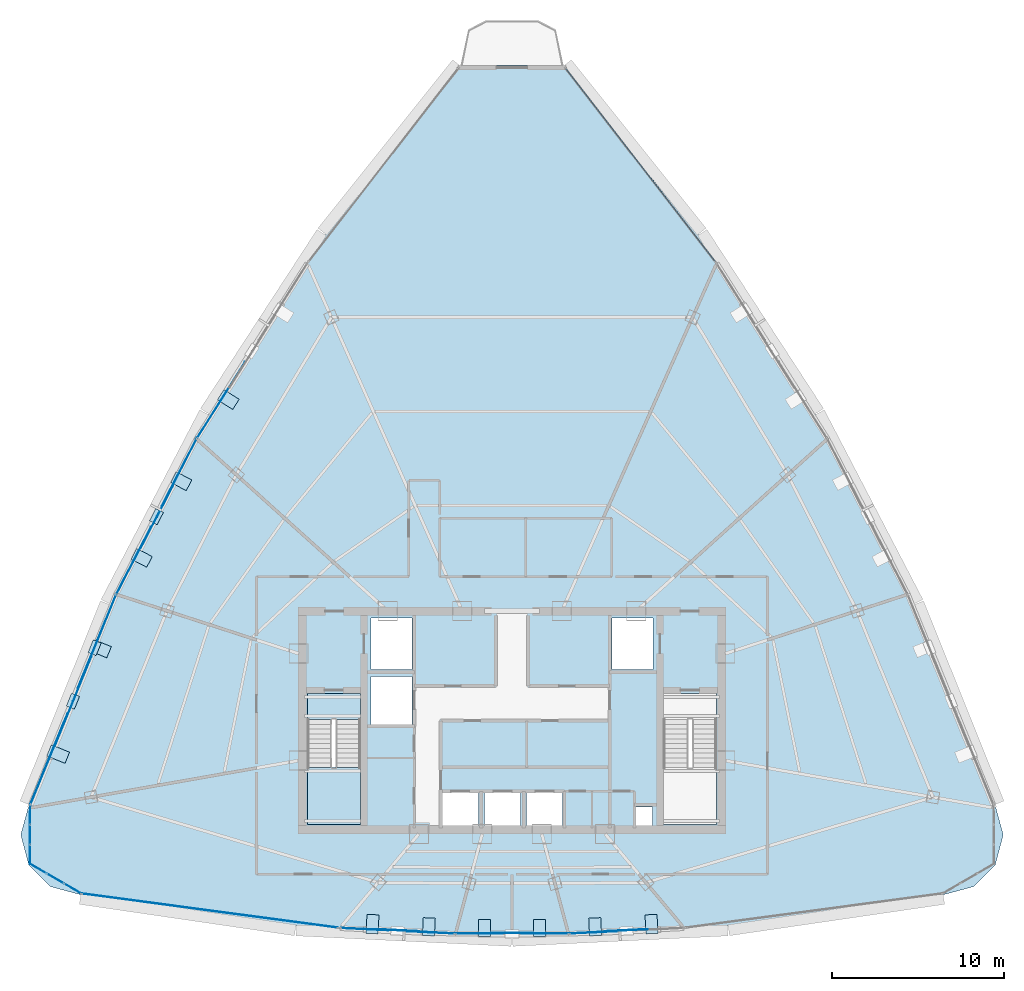
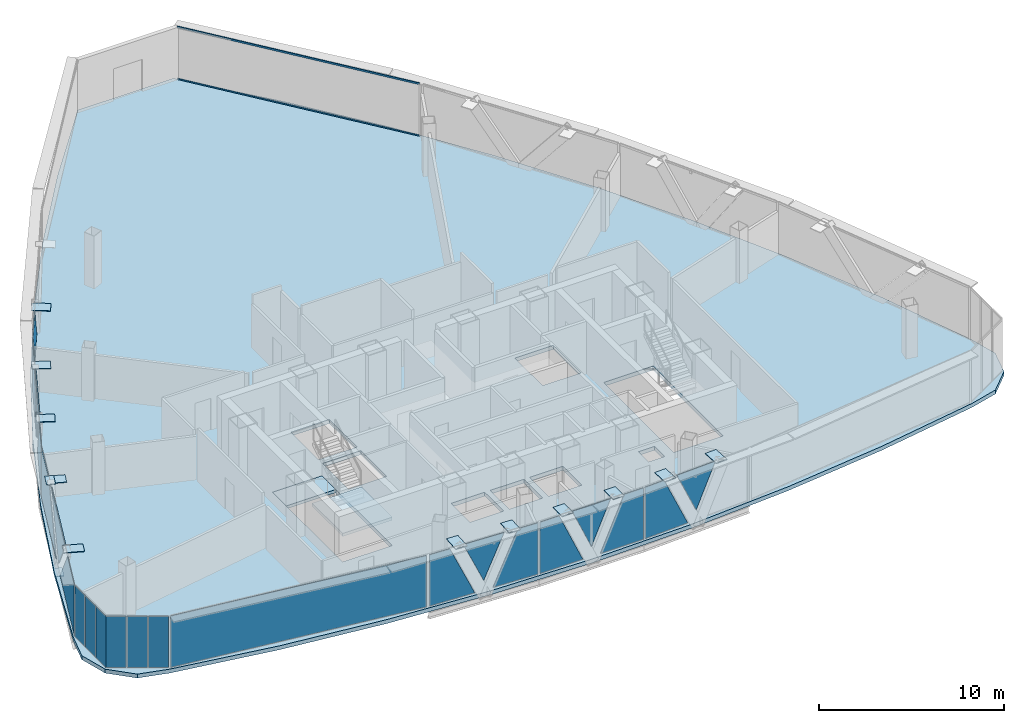
# One storey, part 20 of 27: 36 plates, 3 slabs, 2 members, 11 elements without a shape of their own.
"""IFC4 building model written with IfcOpenShell, lengths in metres."""

from ifc_helpers import new_model, si_unit, direction, frame, origin, origin_2d, place, context, subcontext, project, spatial, polyline, rectangle, hollow_rectangle, outline, extrude, source, transform, mapped, material, layer, layer_set, material_profile, profile_set, type_object, element, aggregate, save


model = new_model("IFC4")

# Units and contexts
model_context = context("Model", 3, precision=1e-05, world=origin(), true_north=direction((0.0, 1.0)))
body_context = subcontext(model_context, "Body", "Model", "MODEL_VIEW")
ifc_project = project(units=[si_unit("LENGTHUNIT", "METRE"), si_unit("AREAUNIT", "SQUARE_METRE"), si_unit("VOLUMEUNIT", "CUBIC_METRE"), si_unit("PLANEANGLEUNIT", "RADIAN"), si_unit("MASSUNIT", "GRAM", prefix="KILO"), si_unit("THERMODYNAMICTEMPERATUREUNIT", "KELVIN"), si_unit("POWERUNIT", "WATT")], contexts=[model_context])

# Site, building, storey
site_placement = place(None, origin())
site = spatial("IfcSite", under=ifc_project, at=site_placement, CompositionType="ELEMENT")
building_placement = place(site_placement, origin())
building = spatial("IfcBuilding", under=site, at=building_placement, Name="Yunzhuo Pagoda Commons", CompositionType="ELEMENT")
storey_placement = place(building_placement, frame((0.0, 0.0, 344.260009765625)))
storey = spatial("IfcBuildingStorey", under=building, at=storey_placement, Name="L86", CompositionType="ELEMENT", Elevation=344.260009765625)

# Curtain wall, members
ifc_material_1 = material(Name="Anodized aluminium 6063-T6", Category="aluminium")
ifc_layer_1 = layer(ifc_material_1, 0.139892578125)
ifc_layer_set_1 = layer_set([ifc_layer_1], Name="Anodized aluminium 6063-T6")
curtain_wall_type_1 = type_object("IfcCurtainWallType", Name="CW-HI High-Zone Ribbon Curtain Wall", PredefinedType="NOTDEFINED", material=ifc_layer_set_1)
curtain_wall_1_placement = place(storey_placement, origin())
curtain_wall_1 = element("IfcCurtainWall", 1, at=curtain_wall_1_placement, inside=storey, type_object=curtain_wall_type_1, Name="L86 curtain wall CW-L86-F2B5", PredefinedType="NOTDEFINED")
ifc_material_profile = material_profile(ifc_material_1, hollow_rectangle(XDim=0.054931640625, YDim=0.1201171875, WallThickness=0.00341796875, at=origin_2d()), Name="Anodized aluminium 6063-T6")
ifc_profile_set = profile_set([ifc_material_profile], Name="Anodized aluminium 6063-T6")
member_type = type_object("IfcMemberType", Name="CW-HI-T Transom RHS 120x55x3.5", PredefinedType="USERDEFINED", material=ifc_profile_set)
shared_shape_1 = source(origin(), body_context, "Body", "SweptSolid", [
    extrude(hollow_rectangle(XDim=0.054931640625, YDim=0.1201171875, WallThickness=0.00341796875, at=origin_2d()), origin(), (0.0, 0.0, 1.0), 14.18017578125),
])
member_1_placement = place(storey_placement, frame((59.8125, 60.52392578125, 0.027587890625), z_axis=(-0.612422141113, 0.790530910892, 0.0), x_axis=(-0.790530910892, -0.612422141113, 0.0)))
member_1 = element("IfcMember", 2, at=member_1_placement, type_object=member_type, Name="CW transom 1.1", ObjectType="TRANSOM", PredefinedType="USERDEFINED", context=body_context, shape_type="MappedRepresentation", body=[
    mapped(shared_shape_1, transform((0.0, 0.0, 0.0), scale=1.0)),
])
member_2_placement = place(storey_placement, frame((59.8125, 60.52392578125, 3.46240234375), z_axis=(-0.612422141113, 0.790530910892, 0.0), x_axis=(-0.790530910892, -0.612422141113, 0.0)))
member_2 = element("IfcMember", 3, at=member_2_placement, type_object=member_type, Name="CW transom 1.2", ObjectType="TRANSOM", PredefinedType="USERDEFINED", context=body_context, shape_type="MappedRepresentation", body=[
    mapped(shared_shape_1, transform((0.0, 0.0, 0.0), scale=1.0)),
])
aggregate(curtain_wall_1, [member_1, member_2])

# Curtain wall, plates
curtain_wall_2_placement = place(storey_placement, origin())
curtain_wall_2 = element("IfcCurtainWall", 4, at=curtain_wall_2_placement, inside=storey, type_object=curtain_wall_type_1, Name="L86 curtain wall CW-L86-F1B2", PredefinedType="NOTDEFINED")
ifc_material_2 = material(Name="Tempered low-e double glazing", Category="glass")
ifc_layer_2 = layer(ifc_material_2, 0.02587890625)
ifc_layer_set_2 = layer_set([ifc_layer_2], Name="Tempered low-e double glazing")
plate_type_1 = type_object("IfcPlateType", Name="CW-HI-P Low-E Double Glazing 26", PredefinedType="CURTAIN_PANEL", material=ifc_layer_set_2)
plate_1_placement = place(storey_placement, frame((39.43115234375, 21.72509765625, 1.744873046875), z_axis=(-0.048905572213, -0.998803406585, 0.0), x_axis=(0.998803406585, -0.048905572213, 0.0)))
plate_1 = element("IfcPlate", 5, at=plate_1_placement, type_object=plate_type_1, Name="CW panel 1.1 lite 1", PredefinedType="CURTAIN_PANEL", context=body_context, shape_type="SweptSolid", body=[
    extrude(outline(polyline([(-1.372802734375, -1.68994140625), (1.372802734375, -1.68994140625), (-0.142822265625, 1.68994140625), (-1.372802734375, 1.68994140625), (-1.372802734375, -1.68994140625)])), origin(), (0.0, 0.0, 1.0), 0.028076171875),
])
plate_2_placement = place(storey_placement, frame((41.36083984375, 21.660888671875, 2.0517578125), z_axis=(-0.048905572213, -0.998803406585, 0.0), x_axis=(0.998803406585, -0.048905572213, 0.0)))
plate_2 = element("IfcPlate", 6, at=plate_2_placement, type_object=plate_type_1, Name="CW panel 1.1 lite 2", PredefinedType="CURTAIN_PANEL", context=body_context, shape_type="SweptSolid", body=[
    extrude(outline(polyline([(-1.24072265625, 1.38330078125), (0.0, -1.38330078125), (1.24072265625, 1.38330078125), (-1.24072265625, 1.38330078125)])), origin(), (0.0, 0.0, 1.0), 0.028076171875),
])
plate_3_placement = place(storey_placement, frame((43.287841796875, 21.536376953125, 1.744873046875), z_axis=(-0.048905572213, -0.998803406585, 0.0), x_axis=(0.998803406585, -0.048905572213, 0.0)))
plate_3 = element("IfcPlate", 7, at=plate_3_placement, type_object=plate_type_1, Name="CW panel 1.1 lite 3", PredefinedType="CURTAIN_PANEL", context=body_context, shape_type="SweptSolid", body=[
    extrude(outline(polyline([(-1.372802734375, -1.68994140625), (1.372802734375, -1.68994140625), (1.372802734375, 1.68994140625), (0.142822265625, 1.68994140625), (-1.372802734375, -1.68994140625)])), origin(), (0.0, 0.0, 1.0), 0.028076171875),
])
aggregate(curtain_wall_2, [plate_1, plate_2, plate_3])

curtain_wall_3_placement = place(storey_placement, origin())
curtain_wall_3 = element("IfcCurtainWall", 8, at=curtain_wall_3_placement, inside=storey, type_object=curtain_wall_type_1, Name="L86 curtain wall CW-L86-F1B3", PredefinedType="NOTDEFINED")
plate_4_placement = place(storey_placement, frame((46.11279296875, 21.46630859375, 1.744873046875), z_axis=(0.0, -1.0, 0.0), x_axis=(1.0, 0.0, 0.0)))
plate_4 = element("IfcPlate", 9, at=plate_4_placement, type_object=plate_type_1, Name="CW panel 1.1 lite 1", PredefinedType="CURTAIN_PANEL", context=body_context, shape_type="SweptSolid", body=[
    extrude(outline(polyline([(-1.33447265625, -1.68994140625), (1.33447265625, -1.68994140625), (-0.14453125, 1.68994140625), (-1.33447265625, 1.68994140625), (-1.33447265625, -1.68994140625)])), origin(), (0.0, 0.0, 1.0), 0.028076171875),
])
plate_5_placement = place(storey_placement, frame((48.0, 21.49658203125, 2.0615234375), z_axis=(0.0, -1.0, 0.0), x_axis=(1.0, 0.0, 0.0)))
plate_5 = element("IfcPlate", 10, at=plate_5_placement, type_object=plate_type_1, Name="CW panel 1.1 lite 2", PredefinedType="CURTAIN_PANEL", context=body_context, shape_type="SweptSolid", body=[
    extrude(outline(polyline([(-1.201904296875, 1.37353515625), (0.0, -1.37353515625), (1.201904296875, 1.37353515625), (-1.201904296875, 1.37353515625)])), origin(), (0.0, 0.0, 1.0), 0.028076171875),
])
plate_6_placement = place(storey_placement, frame((49.88720703125, 21.46630859375, 1.744873046875), z_axis=(0.0, -1.0, 0.0), x_axis=(1.0, 0.0, 0.0)))
plate_6 = element("IfcPlate", 11, at=plate_6_placement, type_object=plate_type_1, Name="CW panel 1.1 lite 3", PredefinedType="CURTAIN_PANEL", context=body_context, shape_type="SweptSolid", body=[
    extrude(outline(polyline([(-1.33447265625, -1.68994140625), (1.33447265625, -1.68994140625), (1.33447265625, 1.68994140625), (0.14453125, 1.68994140625), (-1.33447265625, -1.68994140625)])), origin(), (0.0, 0.0, 1.0), 0.028076171875),
])
aggregate(curtain_wall_3, [plate_4, plate_5, plate_6])

curtain_wall_4_placement = place(storey_placement, origin())
curtain_wall_4 = element("IfcCurtainWall", 12, at=curtain_wall_4_placement, inside=storey, type_object=curtain_wall_type_1, Name="L86 curtain wall CW-L86-F1B4", PredefinedType="NOTDEFINED")
plate_7_placement = place(storey_placement, frame((52.712158203125, 21.536376953125, 1.744873046875), z_axis=(0.048905572213, -0.998803406585, 0.0), x_axis=(0.998803406585, 0.048905572213, 0.0)))
plate_7 = element("IfcPlate", 13, at=plate_7_placement, type_object=plate_type_1, Name="CW panel 1.1 lite 1", PredefinedType="CURTAIN_PANEL", context=body_context, shape_type="SweptSolid", body=[
    extrude(outline(polyline([(-1.372802734375, -1.68994140625), (1.372802734375, -1.68994140625), (-0.142822265625, 1.68994140625), (-1.372802734375, 1.68994140625), (-1.372802734375, -1.68994140625)])), origin(), (0.0, 0.0, 1.0), 0.028076171875),
])
plate_8_placement = place(storey_placement, frame((54.63916015625, 21.660888671875, 2.0517578125), z_axis=(0.048905572213, -0.998803406585, 0.0), x_axis=(0.998803406585, 0.048905572213, 0.0)))
plate_8 = element("IfcPlate", 14, at=plate_8_placement, type_object=plate_type_1, Name="CW panel 1.1 lite 2", PredefinedType="CURTAIN_PANEL", context=body_context, shape_type="SweptSolid", body=[
    extrude(outline(polyline([(-1.24072265625, 1.38330078125), (0.0, -1.38330078125), (1.24072265625, 1.38330078125), (-1.24072265625, 1.38330078125)])), origin(), (0.0, 0.0, 1.0), 0.028076171875),
])
aggregate(curtain_wall_4, [plate_7, plate_8])

# Curtain wall, plate
curtain_wall_5_placement = place(storey_placement, origin())
curtain_wall_5 = element("IfcCurtainWall", 15, at=curtain_wall_5_placement, inside=storey, type_object=curtain_wall_type_1, Name="L86 curtain wall CW-L86-F3B2", PredefinedType="NOTDEFINED")
plate_9_placement = place(storey_placement, frame((31.105712890625, 52.46484375, 1.744873046875), z_axis=(-0.845817518552, 0.533472328532, 0.0), x_axis=(-0.533472328532, -0.845817518552, 0.0)))
plate_9 = element("IfcPlate", 16, at=plate_9_placement, type_object=plate_type_1, Name="CW panel 1.1 lite 3", PredefinedType="CURTAIN_PANEL", context=body_context, shape_type="SweptSolid", body=[
    extrude(outline(polyline([(-2.616943359375, -1.68994140625), (2.616943359375, -1.68994140625), (2.616943359375, 1.68994140625), (0.102783203125, 1.68994140625), (-2.616943359375, -1.68994140625)])), origin(), (0.0, 0.0, 1.0), 0.028076171875),
])
aggregate(curtain_wall_5, [plate_9])

# Curtain wall, plates
curtain_wall_6_placement = place(storey_placement, origin())
curtain_wall_6 = element("IfcCurtainWall", 17, at=curtain_wall_6_placement, inside=storey, type_object=curtain_wall_type_1, Name="L86 curtain wall CW-L86-F3B3", PredefinedType="NOTDEFINED")
plate_10_placement = place(storey_placement, frame((28.65185546875, 48.21533203125, 1.744873046875), z_axis=(-0.888380452968, 0.459108016467, 0.0), x_axis=(-0.459108016467, -0.888380452968, 0.0)))
plate_10 = element("IfcPlate", 18, at=plate_10_placement, type_object=plate_type_1, Name="CW panel 1.1 lite 1", PredefinedType="CURTAIN_PANEL", context=body_context, shape_type="SweptSolid", body=[
    extrude(outline(polyline([(-2.17578125, -1.68994140625), (2.17578125, -1.68994140625), (-0.115478515625, 1.68994140625), (-2.17578125, 1.68994140625), (-2.17578125, -1.68994140625)])), origin(), (0.0, 0.0, 1.0), 0.028076171875),
])
plate_11_placement = place(storey_placement, frame((27.37060546875, 45.6708984375, 1.926025390625), z_axis=(-0.888380452968, 0.459108016467, 0.0), x_axis=(-0.459108016467, -0.888380452968, 0.0)))
plate_11 = element("IfcPlate", 19, at=plate_11_placement, type_object=plate_type_1, Name="CW panel 1.1 lite 2", PredefinedType="CURTAIN_PANEL", context=body_context, shape_type="SweptSolid", body=[
    extrude(outline(polyline([(-2.0458984375, 1.5087890625), (0.0, -1.5087890625), (2.0458984375, 1.5087890625), (-2.0458984375, 1.5087890625)])), origin(), (0.0, 0.0, 1.0), 0.028076171875),
])
plate_12_placement = place(storey_placement, frame((26.0361328125, 43.154052734375, 1.744873046875), z_axis=(-0.888380452968, 0.459108016467, 0.0), x_axis=(-0.459108016467, -0.888380452968, 0.0)))
plate_12 = element("IfcPlate", 20, at=plate_12_placement, type_object=plate_type_1, Name="CW panel 1.1 lite 3", PredefinedType="CURTAIN_PANEL", context=body_context, shape_type="SweptSolid", body=[
    extrude(outline(polyline([(-2.17578125, -1.68994140625), (2.17578125, -1.68994140625), (2.17578125, 1.68994140625), (0.115478515625, 1.68994140625), (-2.17578125, -1.68994140625)])), origin(), (0.0, 0.0, 1.0), 0.028076171875),
])
aggregate(curtain_wall_6, [plate_10, plate_11, plate_12])

curtain_wall_7_placement = place(storey_placement, origin())
curtain_wall_7 = element("IfcCurtainWall", 21, at=curtain_wall_7_placement, inside=storey, type_object=curtain_wall_type_1, Name="L86 curtain wall CW-L86-F3B4", PredefinedType="NOTDEFINED")
plate_13_placement = place(storey_placement, frame((23.88134765625, 38.406005859375, 1.744873046875), z_axis=(-0.925729863061, 0.37818543155, 0.0), x_axis=(-0.37818543155, -0.925729863061, 0.0)))
plate_13 = element("IfcPlate", 22, at=plate_13_placement, type_object=plate_type_1, Name="CW panel 1.1 lite 1", PredefinedType="CURTAIN_PANEL", context=body_context, shape_type="SweptSolid", body=[
    extrude(outline(polyline([(-2.924560546875, -1.68994140625), (2.924560546875, -1.68994140625), (-0.0947265625, 1.68994140625), (-2.924560546875, 1.68994140625), (-2.924560546875, -1.68994140625)])), origin(), (0.0, 0.0, 1.0), 0.028076171875),
])
plate_14_placement = place(storey_placement, frame((22.504150390625, 34.955078125, 1.872802734375), z_axis=(-0.925729863061, 0.37818543155, 0.0), x_axis=(-0.37818543155, -0.925729863061, 0.0)))
plate_14 = element("IfcPlate", 23, at=plate_14_placement, type_object=plate_type_1, Name="CW panel 1.1 lite 2", PredefinedType="CURTAIN_PANEL", context=body_context, shape_type="SweptSolid", body=[
    extrude(outline(polyline([(-2.791259765625, 1.562255859375), (0.0, -1.562255859375), (2.791259765625, 1.562255859375), (-2.791259765625, 1.562255859375)])), origin(), (0.0, 0.0, 1.0), 0.028076171875),
])
plate_15_placement = place(storey_placement, frame((21.10498046875, 31.609619140625, 1.744873046875), z_axis=(-0.925729863061, 0.37818543155, 0.0), x_axis=(-0.37818543155, -0.925729863061, 0.0)))
plate_15 = element("IfcPlate", 24, at=plate_15_placement, type_object=plate_type_1, Name="CW panel 1.1 lite 3", PredefinedType="CURTAIN_PANEL", context=body_context, shape_type="SweptSolid", body=[
    extrude(outline(polyline([(-2.835205078125, -1.68994140625), (2.835205078125, -1.68994140625), (2.835205078125, 1.68994140625), (0.184326171875, 1.68994140625), (-2.835205078125, -1.68994140625)])), origin(), (0.0, 0.0, 1.0), 0.028076171875),
])
aggregate(curtain_wall_7, [plate_13, plate_14, plate_15])

# Stair, slabs
ifc_material_3 = material(Name="Concrete C40", Category="concrete")
stair_type = type_object("IfcStairType", Name="ST-C1 Core Smokeproof Stair ST1", PredefinedType="HALF_TURN_STAIR", material=ifc_material_3)
stair_placement = place(storey_placement, origin())
stair = element("IfcStair", 25, at=stair_placement, inside=storey, type_object=stair_type, Name="L86 Core smokeproof stair ST1", PredefinedType="HALF_TURN_STAIR")
ifc_layer_3 = layer(ifc_material_3, 0.199951171875)
ifc_layer_set_3 = layer_set([ifc_layer_3], Name="Concrete C40")
slab_type_1 = type_object("IfcSlabType", Name="SL-LND1 Stair Landing Slab 200", PredefinedType="LANDING", material=ifc_layer_set_3)
slab_1_placement = place(storey_placement, frame((0.0, 0.0, 1.675048828125)))
slab_1 = element("IfcSlab", 26, at=slab_1_placement, type_object=slab_type_1, Name="ST1 landing 1", PredefinedType="LANDING", context=body_context, shape_type="SweptSolid", body=[
    extrude(outline(polyline([(36.10009765625, 31.10009765625), (36.10009765625, 27.800048828125), (39.199951171875, 27.800048828125), (39.199951171875, 31.10009765625), (36.10009765625, 31.10009765625)])), origin(), (0.0, 0.0, 1.0), 0.199951171875),
])
slab_2_placement = place(storey_placement, frame((0.0, 0.0, -0.199951171875)))
slab_2 = element("IfcSlab", 27, at=slab_2_placement, type_object=slab_type_1, Name="ST1 floor landing L86", PredefinedType="LANDING", context=body_context, shape_type="SweptSolid", body=[
    extrude(outline(polyline([(36.10009765625, 35.39990234375), (36.10009765625, 33.89990234375), (39.199951171875, 33.89990234375), (39.199951171875, 35.39990234375), (36.10009765625, 35.39990234375)])), origin(), (0.0, 0.0, 1.0), 0.199951171875),
])
aggregate(stair, [slab_1, slab_2])

# Slab
ifc_layer_4 = layer(ifc_material_3, 0.260009765625)
ifc_layer_set_4 = layer_set([ifc_layer_4], Name="Concrete C40")
slab_type_2 = type_object("IfcSlabType", Name="SL-TWR Typical Tower Floor Slab 260", PredefinedType="FLOOR", material=ifc_layer_set_4)
slab_3_placement = place(storey_placement, frame((0.0, 0.0, -0.260009765625)))
element("IfcSlab", 28, at=slab_3_placement, inside=storey, type_object=slab_type_2, Name="L86 structural floor slab", PredefinedType="FLOOR", context=body_context, shape_type="SweptSolid", body=[
    extrude(outline(polyline([(22.13037109375, 34.845703125), (24.607421875, 40.602294921875), (27.347900390625, 46.205078125), (30.351806640625, 51.654052734375), (33.619384765625, 56.94921875), (37.150634765625, 62.09033203125), (40.9453125, 67.07763671875), (45.003662109375, 71.9111328125), (50.996337890625, 71.9111328125), (55.0546875, 67.07763671875), (58.849365234375, 62.09033203125), (62.380615234375, 56.94921875), (65.648193359375, 51.654052734375), (68.652099609375, 46.205078125), (71.392578125, 40.602294921875), (73.86962890625, 34.845703125), (76.0830078125, 28.935302734375), (76.555908203125, 27.19873046875), (76.09521484375, 25.458740234375), (74.82470703125, 24.18359375), (73.08642578125, 23.716796875), (66.81494140625, 22.648681640625), (60.543212890625, 21.8857421875), (54.271484375, 21.427978515625), (48.0, 21.275390625), (41.728515625, 21.427978515625), (35.456787109375, 21.8857421875), (29.18505859375, 22.648681640625), (22.91357421875, 23.716796875), (21.17529296875, 24.18359375), (19.90478515625, 25.458740234375), (19.444091796875, 27.19873046875), (19.9169921875, 28.935302734375), (22.13037109375, 34.845703125)]), holes=[polyline([(56.179931640625, 28.800048828125), (55.179931640625, 28.800048828125), (55.179931640625, 27.699951171875), (56.179931640625, 27.699951171875), (56.179931640625, 28.800048828125)]), polyline([(46.050048828125, 29.64990234375), (43.949951171875, 29.64990234375), (43.949951171875, 27.60009765625), (46.050048828125, 27.60009765625), (46.050048828125, 29.64990234375)]), polyline([(48.5, 29.64990234375), (46.39990234375, 29.64990234375), (46.39990234375, 27.60009765625), (48.5, 27.60009765625), (48.5, 29.64990234375)]), polyline([(50.949951171875, 29.64990234375), (48.85009765625, 29.64990234375), (48.85009765625, 27.60009765625), (50.949951171875, 27.60009765625), (50.949951171875, 29.64990234375)]), polyline([(39.199951171875, 27.800048828125), (39.199951171875, 35.39990234375), (36.10009765625, 35.39990234375), (36.10009765625, 27.800048828125), (39.199951171875, 27.800048828125)]), polyline([(59.89990234375, 27.800048828125), (59.89990234375, 35.39990234375), (56.800048828125, 35.39990234375), (56.800048828125, 27.800048828125), (59.89990234375, 27.800048828125)]), polyline([(42.199951171875, 36.39990234375), (39.800048828125, 36.39990234375), (39.800048828125, 33.60009765625), (42.199951171875, 33.60009765625), (42.199951171875, 36.39990234375)]), polyline([(42.199951171875, 36.800048828125), (42.199951171875, 39.800048828125), (39.800048828125, 39.800048828125), (39.800048828125, 36.800048828125), (42.199951171875, 36.800048828125)]), polyline([(56.199951171875, 36.800048828125), (56.199951171875, 39.800048828125), (53.800048828125, 39.800048828125), (53.800048828125, 36.800048828125), (56.199951171875, 36.800048828125)])]), origin(), (0.0, 0.0, 1.0), 0.260009765625),
])

# Plates
ifc_material_4 = material(Name="Structural steel Q355B", Category="steel")
ifc_layer_5 = layer(ifc_material_4, 0.028076171875)
ifc_layer_set_5 = layer_set([ifc_layer_5], Name="Structural steel Q355B")
plate_type_2 = type_object("IfcPlateType", Name="SP-ND1 Lattice Node Cap Plate 800x500x28", PredefinedType="USERDEFINED", material=ifc_layer_set_5)
shared_shape_2 = source(origin(), body_context, "Body", "SweptSolid", [
    extrude(rectangle(XDim=0.800048828125, YDim=0.5, at=origin_2d()), origin(), (0.0, 0.0, 1.0), 0.028076171875),
])
for number, where, z_axis, x_axis, name in (
    (29, (27.33154296875, 45.691162109375, -0.27392578125), (0.0, 0.0, 1.0), (-0.459114770487, -0.888376962511, 0.0), "L86 diamond node plate F3.2A"),
    (30, (22.4794921875, 34.965087890625, -0.27392578125), (0.0, 0.0, 1.0), (-0.375755256687, -0.926718936395, 0.0), "L86 diamond node plate F3.3A"),
):
    element("IfcPlate", number, at=place(storey_placement, frame(where, z_axis=z_axis, x_axis=x_axis)), inside=storey, type_object=plate_type_2, Name=name, ObjectType="STIFFENER_PLATE", PredefinedType="USERDEFINED", context=body_context, shape_type="MappedRepresentation", body=[
        mapped(shared_shape_2, transform((0.0, 0.0, 0.0), scale=1.0)),
    ])
ifc_layer_6 = layer(ifc_material_4, 0.028076171875)
ifc_layer_set_6 = layer_set([ifc_layer_6], Name="Structural steel Q355B")
plate_type_3 = type_object("IfcPlateType", Name="EP-DL1 Diamond Brace End Plate 800x500x28", PredefinedType="USERDEFINED", material=ifc_layer_set_6)
plate_16_placement = place(storey_placement, frame((23.73828125, 38.069580078125, 3.48779296875), z_axis=(0.0, 0.0, 1.0), x_axis=(-0.375755256687, -0.926718936395, 0.0)))
element("IfcPlate", 31, at=plate_16_placement, inside=storey, type_object=plate_type_3, Name="L86 diamond brace end plate F3.3L", ObjectType="END_PLATE", PredefinedType="USERDEFINED", context=body_context, shape_type="MappedRepresentation", body=[
    mapped(shared_shape_2, transform((0.0, 0.0, 0.0), scale=1.0)),
])
shared_shape_3 = source(origin(), body_context, "Body", "SweptSolid", [
    extrude(rectangle(XDim=0.699951171875, YDim=1.022216796875, at=origin_2d()), origin(), (0.0, 0.0, 1.0), 0.035888671875),
])
plate_17_placement = place(storey_placement, frame((26.471435546875, 43.296142578125, 3.4521484375), z_axis=(0.0, 0.0, 1.0), x_axis=(-0.459114770487, -0.888376962511, 0.0)))
element("IfcPlate", 32, at=plate_17_placement, inside=storey, type_object=plate_type_2, Name="L86 setback lattice tie plate F3.2R", ObjectType="STIFFENER_PLATE", PredefinedType="USERDEFINED", context=body_context, shape_type="MappedRepresentation", body=[
    mapped(shared_shape_3, transform((0.0, 0.0, 0.0), scale=1.0)),
])
shared_shape_4 = source(origin(), body_context, "Body", "SweptSolid", [
    extrude(rectangle(XDim=0.699951171875, YDim=1.050537109375, at=origin_2d()), origin(), (0.0, 0.0, 1.0), 0.035888671875),
])
plate_18_placement = place(storey_placement, frame((31.507080078125, 52.49755859375, 3.4521484375), z_axis=(0.0, 0.0, 1.0), x_axis=(-0.533466900438, -0.845820942125, 0.0)))
element("IfcPlate", 33, at=plate_18_placement, inside=storey, type_object=plate_type_2, Name="L86 setback lattice tie plate F3.1R", ObjectType="STIFFENER_PLATE", PredefinedType="USERDEFINED", context=body_context, shape_type="MappedRepresentation", body=[
    mapped(shared_shape_4, transform((0.0, 0.0, 0.0), scale=1.0)),
])
shared_shape_5 = source(origin(), body_context, "Body", "SweptSolid", [
    extrude(rectangle(XDim=0.699951171875, YDim=1.101318359375, at=origin_2d()), origin(), (0.0, 0.0, 1.0), 0.035888671875),
])
for number, where, z_axis, x_axis, name in (
    (34, (39.892578125, 22.008056640625, 3.4521484375), (0.0, 0.0, 1.0), (0.998803578204, -0.048902067096, 0.0), "L86 setback lattice tie plate F1.1L"),
    (35, (56.107421875, 22.008056640625, 3.4521484375), (0.0, 0.0, 1.0), (0.998803578204, 0.048902067096, 0.0), "L86 setback lattice tie plate F1.3R"),
):
    element("IfcPlate", number, at=place(storey_placement, frame(where, z_axis=z_axis, x_axis=x_axis)), inside=storey, type_object=plate_type_2, Name=name, ObjectType="STIFFENER_PLATE", PredefinedType="USERDEFINED", context=body_context, shape_type="MappedRepresentation", body=[
        mapped(shared_shape_5, transform((0.0, 0.0, 0.0), scale=1.0)),
    ])
shared_shape_6 = source(origin(), body_context, "Body", "SweptSolid", [
    extrude(rectangle(XDim=0.699951171875, YDim=1.029541015625, at=origin_2d()), origin(), (0.0, 0.0, 1.0), 0.035888671875),
])
for number, where, z_axis, x_axis, name in (
    (36, (43.16650390625, 21.849365234375, 3.4521484375), (0.0, 0.0, 1.0), (0.998803578204, -0.048902067096, 0.0), "L86 setback lattice tie plate F1.1R"),
    (37, (52.83349609375, 21.849365234375, 3.4521484375), (0.0, 0.0, 1.0), (0.998803578204, 0.048902067096, 0.0), "L86 setback lattice tie plate F1.3L"),
):
    element("IfcPlate", number, at=place(storey_placement, frame(where, z_axis=z_axis, x_axis=x_axis)), inside=storey, type_object=plate_type_2, Name=name, ObjectType="STIFFENER_PLATE", PredefinedType="USERDEFINED", context=body_context, shape_type="MappedRepresentation", body=[
        mapped(shared_shape_6, transform((0.0, 0.0, 0.0), scale=1.0)),
    ])
shared_shape_7 = source(origin(), body_context, "Body", "SweptSolid", [
    extrude(rectangle(XDim=0.699951171875, YDim=1.023681640625, at=origin_2d()), origin(), (0.0, 0.0, 1.0), 0.035888671875),
])
plate_19_placement = place(storey_placement, frame((28.77099609375, 47.751220703125, 3.4521484375), z_axis=(0.0, 0.0, 1.0), x_axis=(-0.459114770487, -0.888376962511, 0.0)))
element("IfcPlate", 38, at=plate_19_placement, inside=storey, type_object=plate_type_2, Name="L86 setback lattice tie plate F3.2L", ObjectType="STIFFENER_PLATE", PredefinedType="USERDEFINED", context=body_context, shape_type="MappedRepresentation", body=[
    mapped(shared_shape_7, transform((0.0, 0.0, 0.0), scale=1.0)),
])
shared_shape_8 = source(origin(), body_context, "Body", "SweptSolid", [
    extrude(rectangle(XDim=0.699951171875, YDim=0.990966796875, at=origin_2d()), origin(), (0.0, 0.0, 1.0), 0.035888671875),
])
for number, where, z_axis, x_axis, name in (
    (39, (46.401611328125, 21.77001953125, 3.4521484375), (0.0, 0.0, 1.0), (1.0, 0.0, 0.0), "L86 setback lattice tie plate F1.2L"),
    (40, (49.598388671875, 21.77001953125, 3.4521484375), (0.0, 0.0, 1.0), (1.0, 0.0, 0.0), "L86 setback lattice tie plate F1.2R"),
):
    element("IfcPlate", number, at=place(storey_placement, frame(where, z_axis=z_axis, x_axis=x_axis)), inside=storey, type_object=plate_type_2, Name=name, ObjectType="STIFFENER_PLATE", PredefinedType="USERDEFINED", context=body_context, shape_type="MappedRepresentation", body=[
        mapped(shared_shape_8, transform((0.0, 0.0, 0.0), scale=1.0)),
    ])
shared_shape_9 = source(origin(), body_context, "Body", "SweptSolid", [
    extrude(rectangle(XDim=0.699951171875, YDim=1.147705078125, at=origin_2d()), origin(), (0.0, 0.0, 1.0), 0.035888671875),
])
plate_20_placement = place(storey_placement, frame((21.61865234375, 31.89013671875, 3.4521484375), z_axis=(0.0, 0.0, 1.0), x_axis=(-0.375755256687, -0.926718936395, 0.0)))
element("IfcPlate", 41, at=plate_20_placement, inside=storey, type_object=plate_type_2, Name="L86 setback lattice tie plate F3.3R", ObjectType="STIFFENER_PLATE", PredefinedType="USERDEFINED", context=body_context, shape_type="MappedRepresentation", body=[
    mapped(shared_shape_9, transform((0.0, 0.0, 0.0), scale=1.0)),
])
shared_shape_10 = source(origin(), body_context, "Body", "SweptSolid", [
    extrude(rectangle(XDim=0.699951171875, YDim=1.058349609375, at=origin_2d()), origin(), (0.0, 0.0, 1.0), 0.035888671875),
])
plate_21_placement = place(storey_placement, frame((24.08740234375, 38.009033203125, 3.4521484375), z_axis=(0.0, 0.0, 1.0), x_axis=(-0.375755256687, -0.926718936395, 0.0)))
element("IfcPlate", 42, at=plate_21_placement, inside=storey, type_object=plate_type_2, Name="L86 setback lattice tie plate F3.3L", ObjectType="STIFFENER_PLATE", PredefinedType="USERDEFINED", context=body_context, shape_type="MappedRepresentation", body=[
    mapped(shared_shape_10, transform((0.0, 0.0, 0.0), scale=1.0)),
])

# Curtain wall, plate
curtain_wall_8_placement = place(storey_placement, origin())
curtain_wall_8 = element("IfcCurtainWall", 43, at=curtain_wall_8_placement, inside=storey, type_object=curtain_wall_type_1, Name="L86 curtain wall CW-L86-F1B1", PredefinedType="NOTDEFINED")
shared_shape_11 = source(origin(), body_context, "Body", "SweptSolid", [
    extrude(rectangle(XDim=14.9833984375, YDim=0.028076171875, at=origin_2d()), origin(), (0.0, 0.0, 1.0), 3.3798828125),
])
plate_22_placement = place(storey_placement, frame((30.439208984375, 22.78857421875, 0.054931640625), z_axis=(0.0, 0.0, 1.0), x_axis=(0.991240559845, -0.132068741636, 0.0)))
plate_22 = element("IfcPlate", 44, at=plate_22_placement, type_object=plate_type_1, Name="CW panel 1.1", PredefinedType="CURTAIN_PANEL", context=body_context, shape_type="MappedRepresentation", body=[
    mapped(shared_shape_11, transform((0.0, 0.0, 0.0), scale=1.0)),
])
aggregate(curtain_wall_8, [plate_22])

# Curtain wall, plates
ifc_layer_7 = layer(ifc_material_1, 0.1298828125)
ifc_layer_set_7 = layer_set([ifc_layer_7], Name="Anodized aluminium 6063-T6")
curtain_wall_type_2 = type_object("IfcCurtainWallType", Name="CW-VTX Rounded Corner Curtain Wall", PredefinedType="NOTDEFINED", material=ifc_layer_set_7)
curtain_wall_9_placement = place(storey_placement, origin())
curtain_wall_9 = element("IfcCurtainWall", 45, at=curtain_wall_9_placement, inside=storey, type_object=curtain_wall_type_2, Name="L86 curtain wall CW-L86-VTX1S1", PredefinedType="NOTDEFINED")
ifc_layer_8 = layer(ifc_material_2, 0.02587890625)
ifc_layer_set_8 = layer_set([ifc_layer_8], Name="Tempered low-e double glazing")
plate_type_4 = type_object("IfcPlateType", Name="CW-VTX-P Low-E Double Glazing 26", PredefinedType="CURTAIN_PANEL", material=ifc_layer_set_8)
shared_shape_12 = source(origin(), body_context, "Body", "SweptSolid", [
    extrude(rectangle(XDim=1.076416015625, YDim=0.028076171875, at=origin_2d()), origin(), (0.0, 0.0, 1.0), 3.3798828125),
])
plate_23_placement = place(storey_placement, frame((19.994873046875, 28.341796875, 0.054931640625), z_axis=(0.0, 0.0, 1.0), x_axis=(-0.003566680416, -0.999993639375, 0.0)))
plate_23 = element("IfcPlate", 46, at=plate_23_placement, type_object=plate_type_4, Name="CW panel 1.1", PredefinedType="CURTAIN_PANEL", context=body_context, shape_type="MappedRepresentation", body=[
    mapped(shared_shape_12, transform((0.0, 0.0, 0.0), scale=1.0)),
])
plate_24_placement = place(storey_placement, frame((19.98681640625, 26.051513671875, 0.054931640625), z_axis=(0.0, 0.0, 1.0), x_axis=(-0.003566680416, -0.999993639375, 0.0)))
plate_24 = element("IfcPlate", 47, at=plate_24_placement, type_object=plate_type_4, Name="CW panel 3.1", PredefinedType="CURTAIN_PANEL", context=body_context, shape_type="MappedRepresentation", body=[
    mapped(shared_shape_12, transform((0.0, 0.0, 0.0), scale=1.0)),
])

curtain_wall_10_placement = place(storey_placement, origin())
curtain_wall_10 = element("IfcCurtainWall", 48, at=curtain_wall_10_placement, inside=storey, type_object=curtain_wall_type_2, Name="L86 curtain wall CW-L86-VTX1S2", PredefinedType="NOTDEFINED")
plate_25_placement = place(storey_placement, frame((20.458251953125, 25.230712890625, 0.054931640625), z_axis=(0.0, 0.0, 1.0), x_axis=(0.865430880416, -0.501028333753, 0.0)))
plate_25 = element("IfcPlate", 49, at=plate_25_placement, type_object=plate_type_4, Name="CW panel 1.1", PredefinedType="CURTAIN_PANEL", context=body_context, shape_type="MappedRepresentation", body=[
    mapped(shared_shape_12, transform((0.0, 0.0, 0.0), scale=1.0)),
])
plate_26_placement = place(storey_placement, frame((22.440185546875, 24.083251953125, 0.054931640625), z_axis=(0.0, 0.0, 1.0), x_axis=(0.865430880416, -0.501028333753, 0.0)))
plate_26 = element("IfcPlate", 50, at=plate_26_placement, type_object=plate_type_4, Name="CW panel 3.1", PredefinedType="CURTAIN_PANEL", context=body_context, shape_type="MappedRepresentation", body=[
    mapped(shared_shape_12, transform((0.0, 0.0, 0.0), scale=1.0)),
])

# Plate
shared_shape_13 = source(origin(), body_context, "Body", "SweptSolid", [
    extrude(rectangle(XDim=1.103759765625, YDim=0.028076171875, at=origin_2d()), origin(), (0.0, 0.0, 1.0), 3.3798828125),
])
plate_27_placement = place(storey_placement, frame((19.990966796875, 27.19677734375, 0.054931640625), z_axis=(0.0, 0.0, 1.0), x_axis=(-0.003566680416, -0.999993639375, 0.0)))
plate_27 = element("IfcPlate", 51, at=plate_27_placement, type_object=plate_type_4, Name="CW panel 2.1", PredefinedType="CURTAIN_PANEL", context=body_context, shape_type="MappedRepresentation", body=[
    mapped(shared_shape_13, transform((0.0, 0.0, 0.0), scale=1.0)),
])

aggregate(curtain_wall_9, [plate_23, plate_27, plate_24])

shared_shape_14 = source(origin(), body_context, "Body", "SweptSolid", [
    extrude(rectangle(XDim=1.10400390625, YDim=0.028076171875, at=origin_2d()), origin(), (0.0, 0.0, 1.0), 3.3798828125),
])
plate_28_placement = place(storey_placement, frame((21.44921875, 24.656982421875, 0.054931640625), z_axis=(0.0, 0.0, 1.0), x_axis=(0.865430880416, -0.501028333753, 0.0)))
plate_28 = element("IfcPlate", 52, at=plate_28_placement, type_object=plate_type_4, Name="CW panel 2.1", PredefinedType="CURTAIN_PANEL", context=body_context, shape_type="MappedRepresentation", body=[
    mapped(shared_shape_14, transform((0.0, 0.0, 0.0), scale=1.0)),
])

aggregate(curtain_wall_10, [plate_25, plate_28, plate_26])

save(model, "model.ifc")
